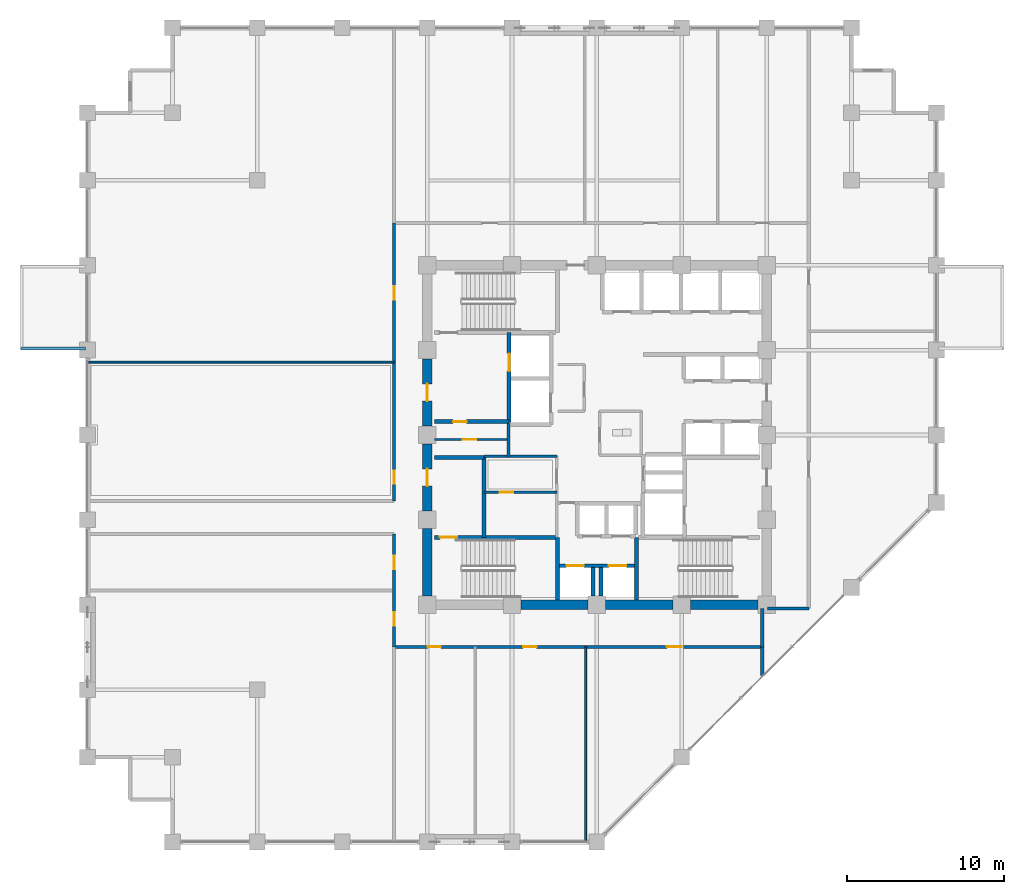
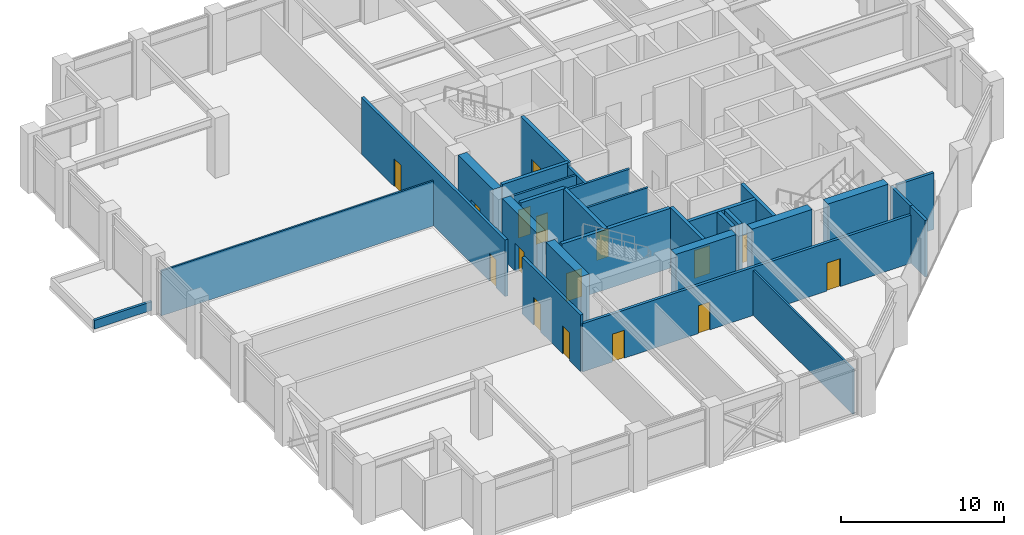
# One storey, part 19 of 25: 29 walls, 16 doors, 16 openings.
"""IFC4 building model written with IfcOpenShell, lengths in metres."""

from ifc_helpers import new_model, si_unit, direction, frame, frame_2d, origin, place, context, subcontext, project, spatial, rectangle, extrude, material, layer, layer_set, type_object, element, fill, save


model = new_model("IFC4")

# Units and contexts
model_context = context("Model", 3, precision=1e-05, world=origin(), true_north=direction((0.0, 1.0)))
body_context = subcontext(model_context, "Body", "Model", "MODEL_VIEW")
ifc_project = project(units=[si_unit("LENGTHUNIT", "METRE"), si_unit("AREAUNIT", "SQUARE_METRE"), si_unit("VOLUMEUNIT", "CUBIC_METRE"), si_unit("PLANEANGLEUNIT", "RADIAN"), si_unit("MASSUNIT", "GRAM", prefix="KILO")], contexts=[model_context])

# Site, building, storey
site_placement = place(None, origin())
site = spatial("IfcSite", under=ifc_project, at=site_placement, CompositionType="ELEMENT")
building_placement = place(site_placement, origin())
building = spatial("IfcBuilding", under=site, at=building_placement, Name="Surkhivell Harbour Commons", CompositionType="ELEMENT")
storey_placement = place(building_placement, frame((0.0, 0.0, 162.0)))
storey = spatial("IfcBuildingStorey", under=building, at=storey_placement, Name="L42", CompositionType="ELEMENT", Elevation=162.0)

# Walls
ifc_material_1 = material(Name="Concrete C60/75", Category="concrete")
ifc_layer_1 = layer(ifc_material_1, 0.60009765625)
ifc_layer_set_1 = layer_set([ifc_layer_1], Name="Concrete C60/75")
wall_type_1 = type_object("IfcWallType", Name="WAL-CORE-600", PredefinedType="SHEAR", material=ifc_layer_set_1)
for number, where, z_axis, x_axis, name in (
    (1, (-10.800048828125, -10.239990234375, 0.0), (0.0, 0.0, 1.0), (0.0, 1.0, 0.0), "L42 Core Shear Wall West 1"),
    (2, (-4.840087890625, -10.800048828125, 0.0), (0.0, 0.0, 1.0), (1.0, 0.0, 0.0), "L42 Core Shear Wall South 2"),
):
    element("IfcWall", number, at=place(storey_placement, frame(where, z_axis=z_axis, x_axis=x_axis)), inside=storey, type_object=wall_type_1, Name=name, PredefinedType="SHEAR", context=body_context, shape_type="SweptSolid", body=[
        extrude(rectangle(XDim=4.280029296875, YDim=0.60009765625, at=frame_2d((2.14013671875, 0.0))), origin(), (0.0, 0.0, 1.0), 4.5),
    ])

# Wall, opening, door
wall_1_placement = place(storey_placement, frame((-10.800048828125, -4.840087890625, 0.0), z_axis=(0.0, 0.0, 1.0), x_axis=(0.0, 1.0, 0.0)))
wall_1 = element("IfcWall", 3, at=wall_1_placement, inside=storey, type_object=wall_type_1, Name="L42 Core Shear Wall West 2", PredefinedType="SHEAR", context=body_context, shape_type="SweptSolid", body=[
    extrude(rectangle(XDim=4.280029296875, YDim=0.60009765625, at=frame_2d((2.14013671875, 0.0))), origin(), (0.0, 0.0, 1.0), 4.5),
])
opening_1_placement = place(wall_1_placement, frame((1.590087890625, 0.0, 0.0)))
opening_1 = element("IfcOpeningElement", 4, at=opening_1_placement, cuts=wall_1, Name="Opening ID-2", PredefinedType="OPENING", context=body_context, shape_type="SweptSolid", body=[
    extrude(rectangle(XDim=1.10009765625, YDim=2.10009765625, at=frame_2d((0.550048828125, 1.050048828125))), frame((0.0, 0.31005859375, 0.0), z_axis=(0.0, -1.0, 0.0), x_axis=(1.0, 0.0, 0.0)), (0.0, 0.0, 1.0), 0.6201171875),
])
ifc_material_2 = material(Name="Hardwood-veneered fire-rated door leaf", Category="wood")
door_type_1 = type_object("IfcDoorType", Name="DOR-FD60-1100", OperationType="NOTDEFINED", PredefinedType="DOOR", material=ifc_material_2)
door_1_placement = place(opening_1_placement, origin())
door_1 = element("IfcDoor", 5, at=door_1_placement, inside=storey, type_object=door_type_1, Name="L42 Stair 3 Lobby Corridor Door", OperationType="SINGLE_SWING_LEFT", OverallHeight=2.10009765625, OverallWidth=1.10009765625, PredefinedType="DOOR", context=body_context, shape_type="SweptSolid", body=[
    extrude(rectangle(XDim=1.10009765625, YDim=2.10009765625, at=frame_2d((0.550048828125, 1.050048828125))), frame((0.0, 0.02490234375, 0.0), z_axis=(0.0, -1.0, 0.0), x_axis=(1.0, 0.0, 0.0)), (0.0, 0.0, 1.0), 0.050048828125),
])
fill(opening_1, door_1)

# Wall
wall_2_placement = place(storey_placement, frame((0.56005859375, -10.800048828125, 0.0), z_axis=(0.0, 0.0, 1.0), x_axis=(1.0, 0.0, 0.0)))
element("IfcWall", 6, at=wall_2_placement, inside=storey, type_object=wall_type_1, Name="L42 Core Shear Wall South 3", PredefinedType="SHEAR", context=body_context, shape_type="SweptSolid", body=[
    extrude(rectangle(XDim=4.280029296875, YDim=0.60009765625, at=frame_2d((2.14013671875, 0.0))), origin(), (0.0, 0.0, 1.0), 4.5),
])

# Wall, opening, door
wall_3_placement = place(storey_placement, frame((-10.800048828125, 0.56005859375, 0.0), z_axis=(0.0, 0.0, 1.0), x_axis=(0.0, 1.0, 0.0)))
wall_3 = element("IfcWall", 7, at=wall_3_placement, inside=storey, type_object=wall_type_1, Name="L42 Core Shear Wall West 3", PredefinedType="SHEAR", context=body_context, shape_type="SweptSolid", body=[
    extrude(rectangle(XDim=4.280029296875, YDim=0.60009765625, at=frame_2d((2.14013671875, 0.0))), origin(), (0.0, 0.0, 1.0), 4.5),
])
opening_2_placement = place(wall_3_placement, frame((1.590087890625, 0.0, 0.0)))
opening_2 = element("IfcOpeningElement", 8, at=opening_2_placement, cuts=wall_3, Name="Opening ID-1", PredefinedType="OPENING", context=body_context, shape_type="SweptSolid", body=[
    extrude(rectangle(XDim=1.10009765625, YDim=2.10009765625, at=frame_2d((0.550048828125, 1.050048828125))), frame((0.0, 0.31005859375, 0.0), z_axis=(0.0, -1.0, 0.0), x_axis=(1.0, 0.0, 0.0)), (0.0, 0.0, 1.0), 0.6201171875),
])
door_type_2 = type_object("IfcDoorType", Name="DOR-FD120-1100", OperationType="NOTDEFINED", PredefinedType="DOOR", material=ifc_material_2)
door_2_placement = place(opening_2_placement, origin())
door_2 = element("IfcDoor", 9, at=door_2_placement, inside=storey, type_object=door_type_2, Name="L42 Firefighting Lobby 1 Corridor Door", OperationType="SINGLE_SWING_LEFT", OverallHeight=2.10009765625, OverallWidth=1.10009765625, PredefinedType="DOOR", context=body_context, shape_type="SweptSolid", body=[
    extrude(rectangle(XDim=1.10009765625, YDim=2.10009765625, at=frame_2d((0.550048828125, 1.050048828125))), frame((0.0, 0.02490234375, 0.0), z_axis=(0.0, -1.0, 0.0), x_axis=(1.0, 0.0, 0.0)), (0.0, 0.0, 1.0), 0.050048828125),
])
fill(opening_2, door_2)

# Walls
wall_4_placement = place(storey_placement, frame((5.9599609375, -10.800048828125, 0.0), z_axis=(0.0, 0.0, 1.0), x_axis=(1.0, 0.0, 0.0)))
element("IfcWall", 10, at=wall_4_placement, inside=storey, type_object=wall_type_1, Name="L42 Core Shear Wall South 4", PredefinedType="SHEAR", context=body_context, shape_type="SweptSolid", body=[
    extrude(rectangle(XDim=4.280029296875, YDim=0.60009765625, at=frame_2d((2.14013671875, 0.0))), origin(), (0.0, 0.0, 1.0), 4.5),
])
ifc_material_3 = material(Name="Moisture-resistant acoustic stud partition", Category="other")
ifc_layer_2 = layer(ifc_material_3, 0.125)
ifc_layer_set_2 = layer_set([ifc_layer_2], Name="Moisture-resistant acoustic stud partition")
wall_type_2 = type_object("IfcWallType", Name="WAL-INT-125", PredefinedType="PARTITIONING", material=ifc_layer_set_2)
wall_5_placement = place(storey_placement, frame((-0.719970703125, -25.840087890625, 0.0), z_axis=(0.0, 0.0, 1.0), x_axis=(0.0, 1.0, 0.0)))
element("IfcWall", 11, at=wall_5_placement, inside=storey, type_object=wall_type_2, Name="L42 South Partition P2", PredefinedType="PARTITIONING", context=body_context, shape_type="SweptSolid", body=[
    extrude(rectangle(XDim=12.360107421875, YDim=0.125, at=frame_2d((6.18017578125, 0.0))), origin(), (0.0, 0.0, 1.0), 3.37890625),
])
wall_6_placement = place(storey_placement, frame((-32.340087890625, 4.639892578125, 0.0), z_axis=(0.0, 0.0, 1.0), x_axis=(1.0, 0.0, 0.0)))
element("IfcWall", 12, at=wall_6_placement, inside=storey, type_object=wall_type_2, Name="L42 North-West Partition P1", PredefinedType="PARTITIONING", context=body_context, shape_type="SweptSolid", body=[
    extrude(rectangle(XDim=19.440185546875, YDim=0.125, at=frame_2d((9.72021484375, 0.0))), origin(), (0.0, 0.0, 1.0), 3.37890625),
])

# Wall, opening, door
ifc_material_4 = material(Name="Twin-stud acoustic fireboard partition", Category="other")
ifc_layer_3 = layer(ifc_material_4, 0.14990234375)
ifc_layer_set_3 = layer_set([ifc_layer_3], Name="Twin-stud acoustic fireboard partition")
wall_type_3 = type_object("IfcWallType", Name="WAL-INT-150", PredefinedType="PARTITIONING", material=ifc_layer_set_3)
wall_7_placement = place(storey_placement, frame((-7.179931640625, -3.64990234375, 0.0), z_axis=(0.0, 0.0, 1.0), x_axis=(1.0, 0.0, 0.0)))
wall_7 = element("IfcWall", 13, at=wall_7_placement, inside=storey, type_object=wall_type_3, Name="L42 Core Cut C1 Partition", PredefinedType="PARTITIONING", context=body_context, shape_type="SweptSolid", body=[
    extrude(rectangle(XDim=4.6298828125, YDim=0.14990234375, at=frame_2d((2.31494140625, 0.0))), origin(), (0.0, 0.0, 1.0), 4.25),
])
opening_3_placement = place(wall_7_placement, frame((1.0, 0.0, 0.0)))
opening_3 = element("IfcOpeningElement", 14, at=opening_3_placement, cuts=wall_7, Name="Opening ID-6", PredefinedType="OPENING", context=body_context, shape_type="SweptSolid", body=[
    extrude(rectangle(XDim=0.85009765625, YDim=2.10009765625, at=frame_2d((0.425048828125, 1.050048828125))), frame((0.0, 0.0849609375, 0.0), z_axis=(0.0, -1.0, 0.0), x_axis=(1.0, 0.0, 0.0)), (0.0, 0.0, 1.0), 0.169921875),
])
door_type_3 = type_object("IfcDoorType", Name="DOR-FD30-850", OperationType="NOTDEFINED", PredefinedType="DOOR", material=ifc_material_2)
door_3_placement = place(opening_3_placement, origin())
door_3 = element("IfcDoor", 15, at=door_3_placement, inside=storey, type_object=door_type_3, Name="L42 Cleaner Room Door", OperationType="SINGLE_SWING_LEFT", OverallHeight=2.10009765625, OverallWidth=0.85009765625, PredefinedType="DOOR", context=body_context, shape_type="SweptSolid", body=[
    extrude(rectangle(XDim=0.85009765625, YDim=2.10009765625, at=frame_2d((0.425048828125, 1.050048828125))), frame((0.0, 0.02490234375, 0.0), z_axis=(0.0, -1.0, 0.0), x_axis=(1.0, 0.0, 0.0)), (0.0, 0.0, 1.0), 0.050048828125),
])
fill(opening_3, door_3)

wall_8_placement = place(storey_placement, frame((-10.340087890625, -0.2900390625, 0.0), z_axis=(0.0, 0.0, 1.0), x_axis=(1.0, 0.0, 0.0)))
wall_8 = element("IfcWall", 16, at=wall_8_placement, inside=storey, type_object=wall_type_3, Name="L42 West Core Horizontal Cut", PredefinedType="PARTITIONING", context=body_context, shape_type="SweptSolid", body=[
    extrude(rectangle(XDim=4.719970703125, YDim=0.14990234375, at=frame_2d((2.35986328125, 0.0))), origin(), (0.0, 0.0, 1.0), 4.25),
])
opening_4_placement = place(wall_8_placement, frame((1.800048828125, 0.0, 0.0)))
opening_4 = element("IfcOpeningElement", 17, at=opening_4_placement, cuts=wall_8, Name="Opening ID-6", PredefinedType="OPENING", context=body_context, shape_type="SweptSolid", body=[
    extrude(rectangle(XDim=0.85009765625, YDim=2.10009765625, at=frame_2d((0.425048828125, 1.050048828125))), frame((0.0, 0.0849609375, 0.0), z_axis=(0.0, -1.0, 0.0), x_axis=(1.0, 0.0, 0.0)), (0.0, 0.0, 1.0), 0.169921875),
])
door_4_placement = place(opening_4_placement, origin())
door_4 = element("IfcDoor", 18, at=door_4_placement, inside=storey, type_object=door_type_3, Name="L42 West Music Pod Door", OperationType="SINGLE_SWING_RIGHT", OverallHeight=2.10009765625, OverallWidth=0.85009765625, PredefinedType="DOOR", context=body_context, shape_type="SweptSolid", body=[
    extrude(rectangle(XDim=0.85009765625, YDim=2.10009765625, at=frame_2d((0.425048828125, 1.050048828125))), frame((0.0, 0.02490234375, 0.0), z_axis=(0.0, -1.0, 0.0), x_axis=(1.0, 0.0, 0.0)), (0.0, 0.0, 1.0), 0.050048828125),
])
fill(opening_4, door_4)

# Walls
ifc_material_5 = material(Name="High-density acoustic blockwork fire partition", Category="masonry")
ifc_layer_4 = layer(ifc_material_5, 0.175048828125)
ifc_layer_set_4 = layer_set([ifc_layer_4], Name="High-density acoustic blockwork fire partition")
wall_type_4 = type_object("IfcWallType", Name="WAL-INT-175", PredefinedType="PARTITIONING", material=ifc_layer_set_4)
wall_9_placement = place(storey_placement, frame((-7.179931640625, -1.35009765625, 0.0), z_axis=(0.0, 0.0, 1.0), x_axis=(1.0, 0.0, 0.0)))
element("IfcWall", 19, at=wall_9_placement, inside=storey, type_object=wall_type_4, Name="L42 Core Service Bay North Wall", PredefinedType="PARTITIONING", context=body_context, shape_type="SweptSolid", body=[
    extrude(rectangle(XDim=4.6298828125, YDim=0.175048828125, at=frame_2d((2.31494140625, 0.0))), origin(), (0.0, 0.0, 1.0), 4.25),
])
wall_10_placement = place(storey_placement, frame((-5.6201171875, -1.419921875, 0.0), z_axis=(0.0, 0.0, 1.0), x_axis=(0.0, 1.0, 0.0)))
element("IfcWall", 20, at=wall_10_placement, inside=storey, type_object=wall_type_4, Name="L42 West Core Bay East Wall", PredefinedType="PARTITIONING", context=body_context, shape_type="SweptSolid", body=[
    extrude(rectangle(XDim=2.139892578125, YDim=0.175048828125, at=frame_2d((1.06982421875, 0.0))), origin(), (0.0, 0.0, 1.0), 4.25),
])
ifc_material_6 = material(Name="Autoclaved aerated concrete blockwork and fire plaster", Category="masonry")
ifc_layer_5 = layer(ifc_material_6, 0.199951171875)
ifc_layer_set_5 = layer_set([ifc_layer_5], Name="Autoclaved aerated concrete blockwork and fire plaster")
wall_type_5 = type_object("IfcWallType", Name="WAL-INT-200", PredefinedType="PARTITIONING", material=ifc_layer_set_5)
wall_11_placement = place(storey_placement, frame((10.52001953125, -15.295166015625, 0.0), z_axis=(0.0, 0.0, 1.0), x_axis=(0.0, 1.0, 0.0)))
element("IfcWall", 21, at=wall_11_placement, inside=storey, type_object=wall_type_5, Name="L42 South-East Wing Corner Divider", PredefinedType="PARTITIONING", context=body_context, shape_type="SweptSolid", body=[
    extrude(rectangle(XDim=1.815185546875, YDim=0.199951171875, at=frame_2d((0.90771484375, 0.0))), origin(), (0.0, 0.0, 1.0), 4.25),
])
wall_12_placement = place(storey_placement, frame((10.85009765625, -11.0400390625, 0.0), z_axis=(0.0, 0.0, 1.0), x_axis=(1.0, 0.0, 0.0)))
element("IfcWall", 22, at=wall_12_placement, inside=storey, type_object=wall_type_5, Name="L42 Corridor East South Closure Wall", PredefinedType="PARTITIONING", context=body_context, shape_type="SweptSolid", body=[
    extrude(rectangle(XDim=2.6298828125, YDim=0.199951171875, at=frame_2d((1.31494140625, 0.0))), origin(), (0.0, 0.0, 1.0), 4.25),
])

# Wall, openings, doors
wall_13_placement = place(storey_placement, frame((-12.89990234375, -13.47998046875, 0.0), z_axis=(0.0, 0.0, 1.0), x_axis=(1.0, 0.0, 0.0)))
wall_13 = element("IfcWall", 23, at=wall_13_placement, inside=storey, type_object=wall_type_5, Name="L42 Corridor South Wall", PredefinedType="PARTITIONING", context=body_context, shape_type="SweptSolid", body=[
    extrude(rectangle(XDim=23.419921875, YDim=0.199951171875, at=frame_2d((11.7099609375, 0.0))), origin(), (0.0, 0.0, 1.0), 3.613037109375),
])
opening_5_placement = place(wall_13_placement, frame((2.125, 0.0, 0.0)))
opening_5 = element("IfcOpeningElement", 24, at=opening_5_placement, cuts=wall_13, Name="Opening ID-6", PredefinedType="OPENING", context=body_context, shape_type="SweptSolid", body=[
    extrude(rectangle(XDim=0.85009765625, YDim=2.10009765625, at=frame_2d((0.425048828125, 1.050048828125))), frame((0.0, 0.10986328125, 0.0), z_axis=(0.0, -1.0, 0.0), x_axis=(1.0, 0.0, 0.0)), (0.0, 0.0, 1.0), 0.219970703125),
])
opening_6_placement = place(wall_13_placement, frame((8.215087890625, 0.0, 0.0)))
opening_6 = element("IfcOpeningElement", 25, at=opening_6_placement, cuts=wall_13, Name="Opening ID-6", PredefinedType="OPENING", context=body_context, shape_type="SweptSolid", body=[
    extrude(rectangle(XDim=0.85009765625, YDim=2.10009765625, at=frame_2d((0.425048828125, 1.050048828125))), frame((0.0, 0.10986328125, 0.0), z_axis=(0.0, -1.0, 0.0), x_axis=(1.0, 0.0, 0.0)), (0.0, 0.0, 1.0), 0.219970703125),
])
opening_7_placement = place(wall_13_placement, frame((17.35009765625, 0.0, 0.0)))
opening_7 = element("IfcOpeningElement", 26, at=opening_7_placement, cuts=wall_13, Name="Opening ID-4", PredefinedType="OPENING", context=body_context, shape_type="SweptSolid", body=[
    extrude(rectangle(XDim=0.949951171875, YDim=2.10009765625, at=frame_2d((0.47509765625, 1.050048828125))), frame((0.0, 0.10986328125, 0.0), z_axis=(0.0, -1.0, 0.0), x_axis=(1.0, 0.0, 0.0)), (0.0, 0.0, 1.0), 0.219970703125),
])
door_5_placement = place(opening_5_placement, origin())
door_5 = element("IfcDoor", 27, at=door_5_placement, inside=storey, type_object=door_type_3, Name="L42 Co-Working Study Office 1 South Door", OperationType="SINGLE_SWING_LEFT", OverallHeight=2.10009765625, OverallWidth=0.85009765625, PredefinedType="DOOR", context=body_context, shape_type="SweptSolid", body=[
    extrude(rectangle(XDim=0.85009765625, YDim=2.10009765625, at=frame_2d((0.425048828125, 1.050048828125))), frame((0.0, 0.02490234375, 0.0), z_axis=(0.0, -1.0, 0.0), x_axis=(1.0, 0.0, 0.0)), (0.0, 0.0, 1.0), 0.050048828125),
])
fill(opening_5, door_5)
door_6_placement = place(opening_6_placement, origin())
door_6 = element("IfcDoor", 28, at=door_6_placement, inside=storey, type_object=door_type_3, Name="L42 Co-Working Study Office 2 South Door", OperationType="SINGLE_SWING_RIGHT", OverallHeight=2.10009765625, OverallWidth=0.85009765625, PredefinedType="DOOR", context=body_context, shape_type="SweptSolid", body=[
    extrude(rectangle(XDim=0.85009765625, YDim=2.10009765625, at=frame_2d((0.425048828125, 1.050048828125))), frame((0.0, 0.02490234375, 0.0), z_axis=(0.0, -1.0, 0.0), x_axis=(1.0, 0.0, 0.0)), (0.0, 0.0, 1.0), 0.050048828125),
])
fill(opening_6, door_6)
door_type_4 = type_object("IfcDoorType", Name="DOR-FD60-950", OperationType="NOTDEFINED", PredefinedType="DOOR", material=ifc_material_2)
door_7_placement = place(opening_7_placement, origin())
door_7 = element("IfcDoor", 29, at=door_7_placement, inside=storey, type_object=door_type_4, Name="L42 Co-Working Study Office 3 South Door", OperationType="SINGLE_SWING_LEFT", OverallHeight=2.10009765625, OverallWidth=0.949951171875, PredefinedType="DOOR", context=body_context, shape_type="SweptSolid", body=[
    extrude(rectangle(XDim=0.949951171875, YDim=2.10009765625, at=frame_2d((0.47509765625, 1.050048828125))), frame((0.0, 0.02490234375, 0.0), z_axis=(0.0, -1.0, 0.0), x_axis=(1.0, 0.0, 0.0)), (0.0, 0.0, 1.0), 0.050048828125),
])
fill(opening_7, door_7)

# Wall
wall_14_placement = place(storey_placement, frame((10.52001953125, -13.47998046875, 0.0), z_axis=(0.0, 0.0, 1.0), x_axis=(0.0, 1.0, 0.0)))
element("IfcWall", 30, at=wall_14_placement, inside=storey, type_object=wall_type_5, Name="L42 Corridor SE Closure Wall", PredefinedType="PARTITIONING", context=body_context, shape_type="SweptSolid", body=[
    extrude(rectangle(XDim=2.43994140625, YDim=0.199951171875, at=frame_2d((1.219970703125, 0.0))), origin(), (0.0, 0.0, 1.0), 4.25),
])

# Wall, openings, doors
wall_15_placement = place(storey_placement, frame((-12.89990234375, -4.199951171875, 0.0), z_axis=(0.0, 0.0, 1.0), x_axis=(0.0, 1.0, 0.0)))
wall_15 = element("IfcWall", 31, at=wall_15_placement, inside=storey, type_object=wall_type_5, Name="L42 Corridor West-Upper Wall", PredefinedType="PARTITIONING", context=body_context, shape_type="SweptSolid", body=[
    extrude(rectangle(XDim=17.679931640625, YDim=0.199951171875, at=frame_2d((8.83984375, 0.0))), origin(), (0.0, 0.0, 1.0), 4.25),
])
opening_8_placement = place(wall_15_placement, frame((1.083251953125, 0.0, 0.0)))
opening_8 = element("IfcOpeningElement", 32, at=opening_8_placement, cuts=wall_15, Name="Opening ID-6", PredefinedType="OPENING", context=body_context, shape_type="SweptSolid", body=[
    extrude(rectangle(XDim=0.85009765625, YDim=2.10009765625, at=frame_2d((0.425048828125, 1.050048828125))), frame((0.0, 0.10986328125, 0.0), z_axis=(0.0, -1.0, 0.0), x_axis=(1.0, 0.0, 0.0)), (0.0, 0.0, 1.0), 0.219970703125),
])
opening_9_placement = place(wall_15_placement, frame((12.81005859375, 0.0, 0.0)))
opening_9 = element("IfcOpeningElement", 33, at=opening_9_placement, cuts=wall_15, Name="Opening ID-6", PredefinedType="OPENING", context=body_context, shape_type="SweptSolid", body=[
    extrude(rectangle(XDim=0.85009765625, YDim=2.10009765625, at=frame_2d((0.425048828125, 1.050048828125))), frame((0.0, 0.10986328125, 0.0), z_axis=(0.0, -1.0, 0.0), x_axis=(1.0, 0.0, 0.0)), (0.0, 0.0, 1.0), 0.219970703125),
])
door_8_placement = place(opening_8_placement, origin())
door_8 = element("IfcDoor", 34, at=door_8_placement, inside=storey, type_object=door_type_3, Name="L42 Campus Co-Op Bookshop North-West Door", OperationType="SINGLE_SWING_RIGHT", OverallHeight=2.10009765625, OverallWidth=0.85009765625, PredefinedType="DOOR", context=body_context, shape_type="SweptSolid", body=[
    extrude(rectangle(XDim=0.85009765625, YDim=2.10009765625, at=frame_2d((0.425048828125, 1.050048828125))), frame((0.0, 0.02490234375, 0.0), z_axis=(0.0, -1.0, 0.0), x_axis=(1.0, 0.0, 0.0)), (0.0, 0.0, 1.0), 0.050048828125),
])
fill(opening_8, door_8)
door_9_placement = place(opening_9_placement, origin())
door_9 = element("IfcDoor", 35, at=door_9_placement, inside=storey, type_object=door_type_3, Name="L42 Harbour Espresso Cafe Shop North-West Door", OperationType="SINGLE_SWING_LEFT", OverallHeight=2.10009765625, OverallWidth=0.85009765625, PredefinedType="DOOR", context=body_context, shape_type="SweptSolid", body=[
    extrude(rectangle(XDim=0.85009765625, YDim=2.10009765625, at=frame_2d((0.425048828125, 1.050048828125))), frame((0.0, 0.02490234375, 0.0), z_axis=(0.0, -1.0, 0.0), x_axis=(1.0, 0.0, 0.0)), (0.0, 0.0, 1.0), 0.050048828125),
])
fill(opening_9, door_9)

wall_16_placement = place(storey_placement, frame((-12.89990234375, -13.47998046875, 0.0), z_axis=(0.0, 0.0, 1.0), x_axis=(0.0, 1.0, 0.0)))
wall_16 = element("IfcWall", 36, at=wall_16_placement, inside=storey, type_object=wall_type_5, Name="L42 Corridor West-Lower Wall", PredefinedType="PARTITIONING", context=body_context, shape_type="SweptSolid", body=[
    extrude(rectangle(XDim=7.179931640625, YDim=0.199951171875, at=frame_2d((3.58984375, 0.0))), origin(), (0.0, 0.0, 1.0), 4.25),
])
opening_10_placement = place(wall_16_placement, frame((1.344970703125, 0.0, 0.0)))
opening_10 = element("IfcOpeningElement", 37, at=opening_10_placement, cuts=wall_16, Name="Opening ID-6", PredefinedType="OPENING", context=body_context, shape_type="SweptSolid", body=[
    extrude(rectangle(XDim=0.85009765625, YDim=2.10009765625, at=frame_2d((0.425048828125, 1.050048828125))), frame((0.0, 0.10986328125, 0.0), z_axis=(0.0, -1.0, 0.0), x_axis=(1.0, 0.0, 0.0)), (0.0, 0.0, 1.0), 0.219970703125),
])
opening_11_placement = place(wall_16_placement, frame((4.93505859375, 0.0, 0.0)))
opening_11 = element("IfcOpeningElement", 38, at=opening_11_placement, cuts=wall_16, Name="Opening ID-6", PredefinedType="OPENING", context=body_context, shape_type="SweptSolid", body=[
    extrude(rectangle(XDim=0.85009765625, YDim=2.10009765625, at=frame_2d((0.425048828125, 1.050048828125))), frame((0.0, 0.10986328125, 0.0), z_axis=(0.0, -1.0, 0.0), x_axis=(1.0, 0.0, 0.0)), (0.0, 0.0, 1.0), 0.219970703125),
])
door_10_placement = place(opening_10_placement, origin())
door_10 = element("IfcDoor", 39, at=door_10_placement, inside=storey, type_object=door_type_3, Name="L42 Campus Co-Op Bookshop South-West Door", OperationType="SINGLE_SWING_RIGHT", OverallHeight=2.10009765625, OverallWidth=0.85009765625, PredefinedType="DOOR", context=body_context, shape_type="SweptSolid", body=[
    extrude(rectangle(XDim=0.85009765625, YDim=2.10009765625, at=frame_2d((0.425048828125, 1.050048828125))), frame((0.0, 0.02490234375, 0.0), z_axis=(0.0, -1.0, 0.0), x_axis=(1.0, 0.0, 0.0)), (0.0, 0.0, 1.0), 0.050048828125),
])
fill(opening_10, door_10)
door_11_placement = place(opening_11_placement, origin())
door_11 = element("IfcDoor", 40, at=door_11_placement, inside=storey, type_object=door_type_3, Name="L42 Harbour Espresso Cafe Shop South-West Door", OperationType="SINGLE_SWING_LEFT", OverallHeight=2.10009765625, OverallWidth=0.85009765625, PredefinedType="DOOR", context=body_context, shape_type="SweptSolid", body=[
    extrude(rectangle(XDim=0.85009765625, YDim=2.10009765625, at=frame_2d((0.425048828125, 1.050048828125))), frame((0.0, 0.02490234375, 0.0), z_axis=(0.0, -1.0, 0.0), x_axis=(1.0, 0.0, 0.0)), (0.0, 0.0, 1.0), 0.050048828125),
])
fill(opening_11, door_11)

# Wall
ifc_material_7 = material(Name="Anodised aluminium and precast concrete C40/50", Category="concrete")
ifc_layer_6 = layer(ifc_material_7, 0.18505859375)
ifc_layer_set_6 = layer_set([ifc_layer_6], Name="Anodised aluminium and precast concrete C40/50")
wall_type_6 = type_object("IfcWallType", Name="WAL-PAR-185", PredefinedType="PARAPET", material=ifc_layer_set_6)
wall_17_placement = place(storey_placement, frame((-36.60009765625, 5.5, 0.0), z_axis=(0.0, 0.0, 1.0), x_axis=(1.0, 0.0, 0.0)))
element("IfcWall", 41, at=wall_17_placement, inside=storey, type_object=wall_type_6, Name="L42 Box Roof Coping Parapet 2-3", PredefinedType="PARAPET", context=body_context, shape_type="SweptSolid", body=[
    extrude(rectangle(XDim=4.080078125, YDim=0.18505859375, at=frame_2d((2.0400390625, 0.0))), origin(), (0.0, 0.0, 1.0), 0.64990234375),
])

# Wall, opening, door
ifc_material_8 = material(Name="Concrete C50/60", Category="concrete")
ifc_layer_7 = layer(ifc_material_8, 0.25)
ifc_layer_set_7 = layer_set([ifc_layer_7], Name="Concrete C50/60")
wall_type_7 = type_object("IfcWallType", Name="WAL-SHAFT-250", PredefinedType="SHEAR", material=ifc_layer_set_7)
wall_18_placement = place(storey_placement, frame((-5.580078125, 0.719970703125, 0.0), z_axis=(0.0, 0.0, 1.0), x_axis=(0.0, 1.0, 0.0)))
wall_18 = element("IfcWall", 42, at=wall_18_placement, inside=storey, type_object=wall_type_7, Name="L42 Firefighting Lobby 1 East Shaft Wall", PredefinedType="SHEAR", context=body_context, shape_type="SweptSolid", body=[
    extrude(rectangle(XDim=5.7900390625, YDim=0.25, at=frame_2d((2.89501953125, 0.0))), origin(), (0.0, 0.0, 1.0), 4.5),
])
opening_12_placement = place(wall_18_placement, frame((3.35009765625, 0.0, 0.0)))
opening_12 = element("IfcOpeningElement", 43, at=opening_12_placement, cuts=wall_18, Name="Opening LD-1", PredefinedType="OPENING", context=body_context, shape_type="SweptSolid", body=[
    extrude(rectangle(XDim=1.10009765625, YDim=2.10009765625, at=frame_2d((0.550048828125, 1.050048828125))), frame((0.0, 0.135009765625, 0.0), z_axis=(0.0, -1.0, 0.0), x_axis=(1.0, 0.0, 0.0)), (0.0, 0.0, 1.0), 0.27001953125),
])
ifc_material_9 = material(Name="Brushed stainless steel S355", Category="steel")
door_type_5 = type_object("IfcDoorType", Name="DOR-LD-1100", OperationType="SLIDING_TO_LEFT", PredefinedType="DOOR", material=ifc_material_9)
door_12_placement = place(opening_12_placement, origin())
door_12 = element("IfcDoor", 44, at=door_12_placement, inside=storey, type_object=door_type_5, Name="L42 Lift Landing Door LD-FFL1", OperationType="SLIDING_TO_LEFT", OverallHeight=2.10009765625, OverallWidth=1.10009765625, PredefinedType="DOOR", context=body_context, shape_type="SweptSolid", body=[
    extrude(rectangle(XDim=1.10009765625, YDim=2.10009765625, at=frame_2d((0.550048828125, 1.050048828125))), frame((0.0, 0.02490234375, 0.0), z_axis=(0.0, -1.0, 0.0), x_axis=(1.0, 0.0, 0.0)), (0.0, 0.0, 1.0), 0.050048828125),
])
fill(opening_12, door_12)

wall_19_placement = place(storey_placement, frame((-10.340087890625, 0.85009765625, 0.0), z_axis=(0.0, 0.0, 1.0), x_axis=(1.0, 0.0, 0.0)))
wall_19 = element("IfcWall", 45, at=wall_19_placement, inside=storey, type_object=wall_type_7, Name="L42 Firefighting Lobby 1 South Wall", PredefinedType="SHEAR", context=body_context, shape_type="SweptSolid", body=[
    extrude(rectangle(XDim=4.760009765625, YDim=0.25, at=frame_2d((2.3798828125, 0.0))), origin(), (0.0, 0.0, 1.0), 4.5),
])
opening_13_placement = place(wall_19_placement, frame((1.199951171875, 0.0, 0.0)))
opening_13 = element("IfcOpeningElement", 46, at=opening_13_placement, cuts=wall_19, Name="Opening ID-6", PredefinedType="OPENING", context=body_context, shape_type="SweptSolid", body=[
    extrude(rectangle(XDim=0.85009765625, YDim=2.10009765625, at=frame_2d((0.425048828125, 1.050048828125))), frame((0.0, 0.135009765625, 0.0), z_axis=(0.0, -1.0, 0.0), x_axis=(1.0, 0.0, 0.0)), (0.0, 0.0, 1.0), 0.27001953125),
])
door_13_placement = place(opening_13_placement, origin())
door_13 = element("IfcDoor", 47, at=door_13_placement, inside=storey, type_object=door_type_3, Name="L42 West Reading Alcove Door", OperationType="SINGLE_SWING_LEFT", OverallHeight=2.10009765625, OverallWidth=0.85009765625, PredefinedType="DOOR", context=body_context, shape_type="SweptSolid", body=[
    extrude(rectangle(XDim=0.85009765625, YDim=2.10009765625, at=frame_2d((0.425048828125, 1.050048828125))), frame((0.0, 0.02490234375, 0.0), z_axis=(0.0, -1.0, 0.0), x_axis=(1.0, 0.0, 0.0)), (0.0, 0.0, 1.0), 0.050048828125),
])
fill(opening_13, door_13)

# Walls
for number, where, z_axis, x_axis, name in (
    (48, (-0.25, -10.25, 0.0), (0.0, 0.0, 1.0), (0.0, 1.0, 0.0), "L42 High-Rise Side Wall S"),
    (49, (0.25, -10.25, 0.0), (0.0, 0.0, 1.0), (0.0, 1.0, 0.0), "L42 High-Rise Side Wall S"),
):
    element("IfcWall", number, at=place(storey_placement, frame(where, z_axis=z_axis, x_axis=x_axis)), inside=storey, type_object=wall_type_7, Name=name, PredefinedType="SHEAR", context=body_context, shape_type="SweptSolid", body=[
        extrude(rectangle(XDim=1.81005859375, YDim=0.25, at=frame_2d((0.905029296875, 0.0))), origin(), (0.0, 0.0, 1.0), 4.5),
    ])

# Wall, openings, doors
wall_20_placement = place(storey_placement, frame((-2.47998046875, -8.320068359375, 0.0), z_axis=(0.0, 0.0, 1.0), x_axis=(1.0, 0.0, 0.0)))
wall_20 = element("IfcWall", 50, at=wall_20_placement, inside=storey, type_object=wall_type_7, Name="L42 High-Rise South Front Shaft Wall", PredefinedType="SHEAR", context=body_context, shape_type="SweptSolid", body=[
    extrude(rectangle(XDim=4.929931640625, YDim=0.25, at=frame_2d((2.46484375, 0.0))), origin(), (0.0, 0.0, 1.0), 4.5),
])
opening_14_placement = place(wall_20_placement, frame((0.550048828125, 0.0, 0.0)))
opening_14 = element("IfcOpeningElement", 51, at=opening_14_placement, cuts=wall_20, Name="Opening LD-1", PredefinedType="OPENING", context=body_context, shape_type="SweptSolid", body=[
    extrude(rectangle(XDim=1.10009765625, YDim=2.10009765625, at=frame_2d((0.550048828125, 1.050048828125))), frame((0.0, 0.135009765625, 0.0), z_axis=(0.0, -1.0, 0.0), x_axis=(1.0, 0.0, 0.0)), (0.0, 0.0, 1.0), 0.27001953125),
])
opening_15_placement = place(wall_20_placement, frame((3.25, 0.0, 0.0)))
opening_15 = element("IfcOpeningElement", 52, at=opening_15_placement, cuts=wall_20, Name="Opening LD-1", PredefinedType="OPENING", context=body_context, shape_type="SweptSolid", body=[
    extrude(rectangle(XDim=1.10009765625, YDim=2.10009765625, at=frame_2d((0.550048828125, 1.050048828125))), frame((0.0, 0.135009765625, 0.0), z_axis=(0.0, -1.0, 0.0), x_axis=(1.0, 0.0, 0.0)), (0.0, 0.0, 1.0), 0.27001953125),
])
door_14_placement = place(opening_14_placement, origin())
door_14 = element("IfcDoor", 53, at=door_14_placement, inside=storey, type_object=door_type_5, Name="L42 Lift Landing Door LD-PH3", OperationType="SLIDING_TO_LEFT", OverallHeight=2.10009765625, OverallWidth=1.10009765625, PredefinedType="DOOR", context=body_context, shape_type="SweptSolid", body=[
    extrude(rectangle(XDim=1.10009765625, YDim=2.10009765625, at=frame_2d((0.550048828125, 1.050048828125))), frame((0.0, 0.02490234375, 0.0), z_axis=(0.0, -1.0, 0.0), x_axis=(1.0, 0.0, 0.0)), (0.0, 0.0, 1.0), 0.050048828125),
])
fill(opening_14, door_14)
door_15_placement = place(opening_15_placement, origin())
door_15 = element("IfcDoor", 54, at=door_15_placement, inside=storey, type_object=door_type_5, Name="L42 Lift Landing Door LD-PH4", OperationType="SLIDING_TO_LEFT", OverallHeight=2.10009765625, OverallWidth=1.10009765625, PredefinedType="DOOR", context=body_context, shape_type="SweptSolid", body=[
    extrude(rectangle(XDim=1.10009765625, YDim=2.10009765625, at=frame_2d((0.550048828125, 1.050048828125))), frame((0.0, 0.02490234375, 0.0), z_axis=(0.0, -1.0, 0.0), x_axis=(1.0, 0.0, 0.0)), (0.0, 0.0, 1.0), 0.050048828125),
])
fill(opening_15, door_15)

# Walls
for number, where, z_axis, x_axis, name in (
    (55, (2.510009765625, -10.5, 0.0), (0.0, 0.0, 1.0), (0.0, 1.0, 0.0), "L42 Stair ST2 West Shear Wall"),
    (56, (-2.510009765625, -10.5, 0.0), (0.0, 0.0, 1.0), (0.0, 1.0, 0.0), "L42 Stair ST3 East Shear Wall"),
):
    element("IfcWall", number, at=place(storey_placement, frame(where, z_axis=z_axis, x_axis=x_axis)), inside=storey, type_object=wall_type_7, Name=name, PredefinedType="SHEAR", context=body_context, shape_type="SweptSolid", body=[
        extrude(rectangle(XDim=3.989990234375, YDim=0.25, at=frame_2d((1.9951171875, 0.0))), origin(), (0.0, 0.0, 1.0), 4.5),
    ])
wall_21_placement = place(storey_placement, frame((-7.179931640625, -6.510009765625, 0.0), z_axis=(0.0, 0.0, 1.0), x_axis=(0.0, 1.0, 0.0)))
element("IfcWall", 57, at=wall_21_placement, inside=storey, type_object=wall_type_7, Name="L42 Stair 3 Lobby East Wall", PredefinedType="SHEAR", context=body_context, shape_type="SweptSolid", body=[
    extrude(rectangle(XDim=5.090087890625, YDim=0.25, at=frame_2d((2.544921875, 0.0))), origin(), (0.0, 0.0, 1.0), 4.5),
])
wall_22_placement = place(storey_placement, frame((-10.340087890625, -1.419921875, 0.0), z_axis=(0.0, 0.0, 1.0), x_axis=(1.0, 0.0, 0.0)))
element("IfcWall", 58, at=wall_22_placement, inside=storey, type_object=wall_type_7, Name="L42 Stair 3 Lobby North Wall", PredefinedType="SHEAR", context=body_context, shape_type="SweptSolid", body=[
    extrude(rectangle(XDim=3.16015625, YDim=0.25, at=frame_2d((1.580078125, 0.0))), origin(), (0.0, 0.0, 1.0), 4.5),
])

# Wall, opening, door
wall_23_placement = place(storey_placement, frame((-10.340087890625, -6.510009765625, 0.0), z_axis=(0.0, 0.0, 1.0), x_axis=(1.0, 0.0, 0.0)))
wall_23 = element("IfcWall", 59, at=wall_23_placement, inside=storey, type_object=wall_type_7, Name="L42 Stair ST3 North Shear Wall", PredefinedType="SHEAR", context=body_context, shape_type="SweptSolid", body=[
    extrude(rectangle(XDim=7.7001953125, YDim=0.25, at=frame_2d((3.85009765625, 0.0))), origin(), (0.0, 0.0, 1.0), 4.5),
])
opening_16_placement = place(wall_23_placement, frame((0.35009765625, 0.0, 0.0)))
opening_16 = element("IfcOpeningElement", 60, at=opening_16_placement, cuts=wall_23, Name="Opening ID-2", PredefinedType="OPENING", context=body_context, shape_type="SweptSolid", body=[
    extrude(rectangle(XDim=1.10009765625, YDim=2.10009765625, at=frame_2d((0.550048828125, 1.050048828125))), frame((0.0, 0.135009765625, 0.0), z_axis=(0.0, -1.0, 0.0), x_axis=(1.0, 0.0, 0.0)), (0.0, 0.0, 1.0), 0.27001953125),
])
door_16_placement = place(opening_16_placement, origin())
door_16 = element("IfcDoor", 61, at=door_16_placement, inside=storey, type_object=door_type_1, Name="L42 Stair ST3 Exit Door", OperationType="SINGLE_SWING_RIGHT", OverallHeight=2.10009765625, OverallWidth=1.10009765625, PredefinedType="DOOR", context=body_context, shape_type="SweptSolid", body=[
    extrude(rectangle(XDim=1.10009765625, YDim=2.10009765625, at=frame_2d((0.550048828125, 1.050048828125))), frame((0.0, 0.02490234375, 0.0), z_axis=(0.0, -1.0, 0.0), x_axis=(1.0, 0.0, 0.0)), (0.0, 0.0, 1.0), 0.050048828125),
])
fill(opening_16, door_16)

save(model, "model.ifc")
